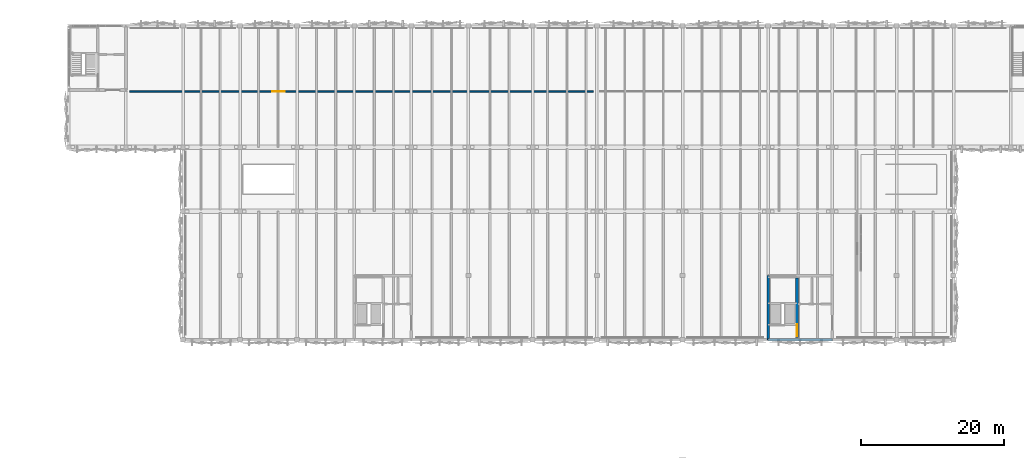
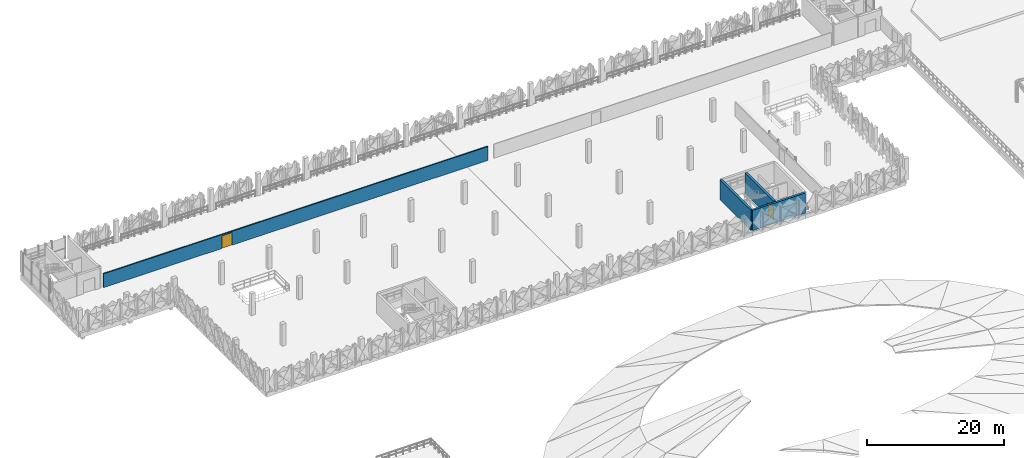
# One storey, part 29 of 52: 4 walls, 2 doors, 2 openings.
"""IFC4 building model written with IfcOpenShell, lengths in metres."""

from ifc_helpers import new_model, si_unit, derived_unit, direction, frame, frame_2d, origin, place, context, subcontext, project, spatial, rectangle, extrude, material, layer, layer_set, type_object, element, fill, save


model = new_model("IFC4")

# Units and contexts
model_context = context("Model", 3, precision=1e-05, world=origin(), true_north=direction((0.0, 1.0)))
body_context = subcontext(model_context, "Body", "Model", "MODEL_VIEW")
ifc_project = project(units=[si_unit("LENGTHUNIT", "METRE"), si_unit("AREAUNIT", "SQUARE_METRE"), si_unit("VOLUMEUNIT", "CUBIC_METRE"), si_unit("PLANEANGLEUNIT", "RADIAN"), si_unit("MASSUNIT", "GRAM", prefix="KILO"), si_unit("THERMODYNAMICTEMPERATUREUNIT", "KELVIN"), derived_unit("THERMALTRANSMITTANCEUNIT", [(si_unit("POWERUNIT", "WATT"), 1), (si_unit("AREAUNIT", "SQUARE_METRE"), -1), (si_unit("THERMODYNAMICTEMPERATUREUNIT", "KELVIN"), -1)])], contexts=[model_context])

# Site, building, storey
site_placement = place(None, origin())
site = spatial("IfcSite", under=ifc_project, at=site_placement, CompositionType="ELEMENT")
building_placement = place(site_placement, origin())
building = spatial("IfcBuilding", under=site, at=building_placement, Name="Haiyu Intermodal Mobility Hub", CompositionType="ELEMENT")
storey_placement = place(building_placement, frame((0.0, 0.0, 21.199951171875)))
storey = spatial("IfcBuildingStorey", under=building, at=storey_placement, Name="L05", CompositionType="ELEMENT", Elevation=21.199951171875)

# Wall, opening, door
ifc_material_1 = material(Name="Autoclaved aerated concrete block A5.0", Category="concrete")
ifc_layer_1 = layer(ifc_material_1, 0.199951171875)
ifc_layer_set_1 = layer_set([ifc_layer_1], Name="Autoclaved aerated concrete block A5.0")
wall_type_1 = type_object("IfcWallType", Name="WAL-WI02", PredefinedType="PARTITIONING", material=ifc_layer_set_1)
wall_1_placement = place(storey_placement, frame((30.5, 138.800048828125, 0.0), z_axis=(0.0, 0.0, 1.0), x_axis=(1.0, 0.0, 0.0)))
wall_1 = element("IfcWall", 1, at=wall_1_placement, inside=storey, type_object=wall_type_1, Name="WAL-INT-0043", PredefinedType="PARTITIONING", context=body_context, shape_type="SweptSolid", body=[
    extrude(rectangle(XDim=65.0, YDim=0.199951171875, at=frame_2d((32.5, 0.0))), origin(), (0.0, 0.0, 1.0), 2.47998046875),
])
opening_1_placement = place(wall_1_placement, frame((20.0, 0.0, 0.0)))
opening_1 = element("IfcOpeningElement", 2, at=opening_1_placement, cuts=wall_1, Name="Opening DI09", PredefinedType="OPENING", context=body_context, shape_type="SweptSolid", body=[
    extrude(rectangle(XDim=1.75, YDim=2.25, at=frame_2d((0.875, 1.125))), frame((0.0, 0.10986328125, 0.0), z_axis=(0.0, -1.0, 0.0), x_axis=(1.0, 0.0, 0.0)), (0.0, 0.0, 1.0), 0.219970703125),
])
ifc_material_2 = material(Name="Anodised aluminium 6063-T6", Category="aluminium")
door_type_1 = type_object("IfcDoorType", Name="DR-DI09", OperationType="DOUBLE_DOOR_SINGLE_SWING", PredefinedType="DOOR", material=ifc_material_2)
door_1_placement = place(opening_1_placement, origin())
door_1 = element("IfcDoor", 3, at=door_1_placement, inside=storey, type_object=door_type_1, Name="BESS Energy Storage Plant Door", OperationType="DOUBLE_SWING_RIGHT", OverallHeight=2.25, OverallWidth=1.75, PredefinedType="DOOR", context=body_context, shape_type="SweptSolid", body=[
    extrude(rectangle(XDim=1.75, YDim=2.25, at=frame_2d((0.875, 1.125))), frame((0.0, 0.02490234375, 0.0), z_axis=(0.0, -1.0, 0.0), x_axis=(1.0, 0.0, 0.0)), (0.0, 0.0, 1.0), 0.050048828125),
])
fill(opening_1, door_1)

# Walls
ifc_material_3 = material(Name="Concrete C40", Category="concrete")
ifc_layer_2 = layer(ifc_material_3, 0.35009765625)
ifc_layer_set_2 = layer_set([ifc_layer_2], Name="Concrete C40")
wall_type_2 = type_object("IfcWallType", Name="WAL-WS02", PredefinedType="SHEAR", material=ifc_layer_set_2)
for number, where, z_axis, x_axis, name in (
    (4, (120.0, 104.0, 0.0), (0.0, 0.0, 1.0), (1.0, 0.0, 0.0), "WAL-CORE-C6-S-L05"),
    (5, (120.0, 113.0, 0.0), (0.0, 0.0, 1.0), (0.0, -1.0, 0.0), "WAL-CORE-C6-W-L05"),
):
    element("IfcWall", number, at=place(storey_placement, frame(where, z_axis=z_axis, x_axis=x_axis)), inside=storey, type_object=wall_type_2, Name=name, PredefinedType="SHEAR", context=body_context, shape_type="SweptSolid", body=[
        extrude(rectangle(XDim=9.0, YDim=0.35009765625, at=frame_2d((4.5, 0.0))), origin(), (0.0, 0.0, 1.0), 3.6201171875),
    ])

# Wall, opening, door
ifc_layer_3 = layer(ifc_material_3, 0.3798828125)
ifc_layer_set_3 = layer_set([ifc_layer_3], Name="Concrete C40")
wall_type_3 = type_object("IfcWallType", Name="WAL-WS03", PredefinedType="SHEAR", material=ifc_layer_set_3)
wall_2_placement = place(storey_placement, frame((124.050048828125, 104.35009765625, 0.0), z_axis=(0.0, 0.0, 1.0), x_axis=(0.0, 1.0, 0.0)))
wall_2 = element("IfcWall", 6, at=wall_2_placement, inside=storey, type_object=wall_type_3, Name="WAL-CORE-C6-MID-L05", PredefinedType="SHEAR", context=body_context, shape_type="SweptSolid", body=[
    extrude(rectangle(XDim=8.2998046875, YDim=0.3798828125, at=frame_2d((4.14990234375, 0.0))), origin(), (0.0, 0.0, 1.0), 3.6201171875),
])
opening_2_placement = place(wall_2_placement, frame((0.179931640625, 0.0, 0.0)))
opening_2 = element("IfcOpeningElement", 7, at=opening_2_placement, cuts=wall_2, Name="Opening DI02", PredefinedType="OPENING", context=body_context, shape_type="SweptSolid", body=[
    extrude(rectangle(XDim=1.64990234375, YDim=2.199951171875, at=frame_2d((0.824951171875, 1.10009765625))), frame((0.0, 0.199951171875, 0.0), z_axis=(0.0, -1.0, 0.0), x_axis=(1.0, 0.0, 0.0)), (0.0, 0.0, 1.0), 0.39990234375),
])
ifc_material_4 = material(Name="Steel Q355C", Category="steel")
door_type_2 = type_object("IfcDoorType", Name="DR-DI02", OperationType="DOUBLE_DOOR_SINGLE_SWING", PredefinedType="DOOR", material=ifc_material_4)
door_2_placement = place(opening_2_placement, origin())
door_2 = element("IfcDoor", 8, at=door_2_placement, inside=storey, type_object=door_type_2, Name="Stair ST01 Fire Door L05", OperationType="SINGLE_SWING_LEFT", OverallHeight=2.199951171875, OverallWidth=1.64990234375, PredefinedType="DOOR", context=body_context, shape_type="SweptSolid", body=[
    extrude(rectangle(XDim=1.64990234375, YDim=2.199951171875, at=frame_2d((0.824951171875, 1.10009765625))), frame((0.0, 0.02490234375, 0.0), z_axis=(0.0, -1.0, 0.0), x_axis=(1.0, 0.0, 0.0)), (0.0, 0.0, 1.0), 0.050048828125),
])
fill(opening_2, door_2)

save(model, "model.ifc")
